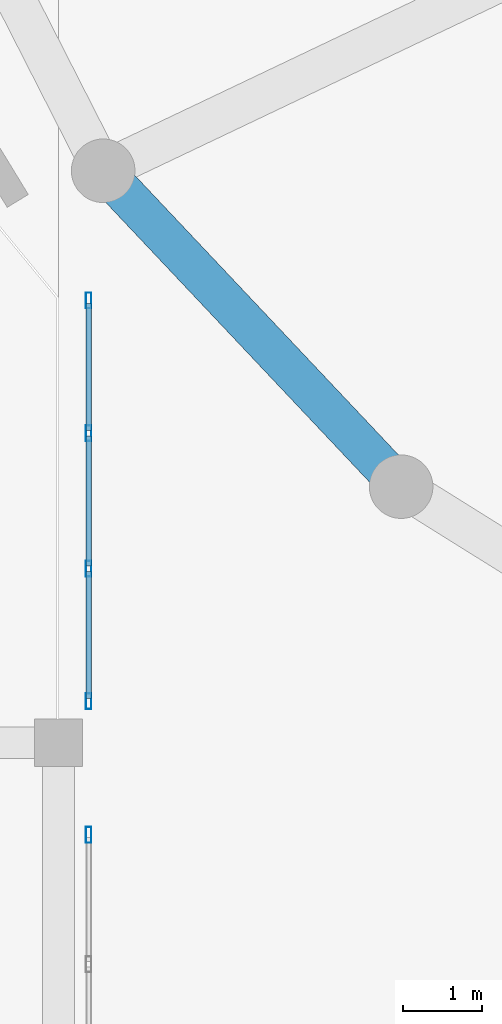
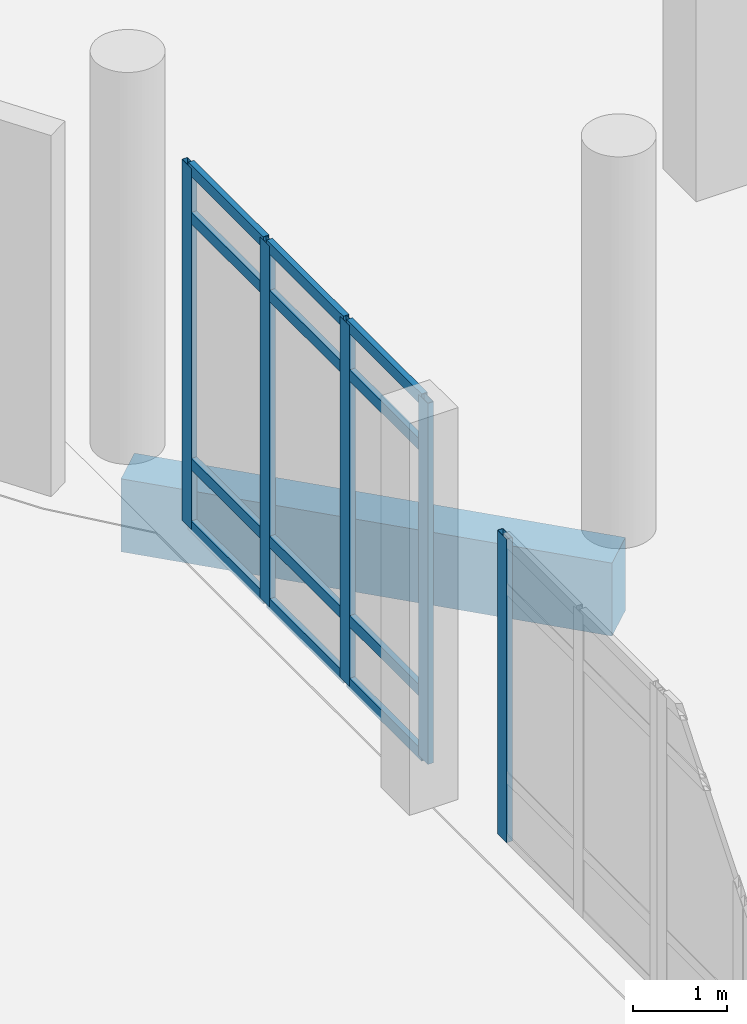
# One storey, part 5 of 64: 17 members, 1 beam, 2 elements without a shape of their own.
"""IFC4 building model written with IfcOpenShell, lengths in metres."""

from ifc_helpers import new_model, si_unit, derived_unit, direction, frame, origin, origin_2d, place, context, subcontext, project, spatial, rectangle, hollow_rectangle, extrude, material, layer, layer_set, material_profile, profile_set, type_object, element, aggregate, save


model = new_model("IFC4")

# Units and contexts
model_context = context("Model", 3, precision=1e-05, world=origin(), true_north=direction((0.0, 1.0)))
body_context = subcontext(model_context, "Body", "Model", "MODEL_VIEW")
ifc_project = project(units=[si_unit("LENGTHUNIT", "METRE"), si_unit("AREAUNIT", "SQUARE_METRE"), si_unit("VOLUMEUNIT", "CUBIC_METRE"), si_unit("PLANEANGLEUNIT", "RADIAN"), si_unit("MASSUNIT", "GRAM", prefix="KILO"), derived_unit("THERMALTRANSMITTANCEUNIT", [(si_unit("POWERUNIT", "WATT"), 1), (si_unit("LENGTHUNIT", "METRE"), -2), (si_unit("THERMODYNAMICTEMPERATUREUNIT", "KELVIN"), -1)])], contexts=[model_context])

# Site, building, storey
site_placement = place(None, origin())
site = spatial("IfcSite", under=ifc_project, at=site_placement, CompositionType="ELEMENT")
building_placement = place(site_placement, origin())
building = spatial("IfcBuilding", under=site, at=building_placement, Name="Elbkamm Science Centre", CompositionType="ELEMENT")
storey_placement = place(building_placement, origin())
storey = spatial("IfcBuildingStorey", under=building, at=storey_placement, Name="L00", CompositionType="ELEMENT", Elevation=0.0)

# Beam
ifc_material_1 = material(Name="Concrete C40/50", Category="concrete")
ifc_material_profile_1 = material_profile(ifc_material_1, rectangle(XDim=0.5, YDim=0.949951171875, at=origin_2d()), Name="RC 500x950")
ifc_profile_set_1 = profile_set([ifc_material_profile_1], Name="Concrete C40/50")
beam_type = type_object("IfcBeamType", Name="BM-RC-500x950", PredefinedType="BEAM", material=ifc_profile_set_1)
beam_placement = place(storey_placement, frame((42.56201171875, 57.60009765625, -0.77490234375), z_axis=(0.686122314522, -0.727486198848, 0.0), x_axis=(0.727486198848, 0.686122314522, 0.0)))
element("IfcBeam", 1, at=beam_placement, inside=storey, type_object=beam_type, Name="L00 Elliptical Shell Perimeter Ring Beam 15", PredefinedType="SPANDREL", context=body_context, shape_type="SweptSolid", body=[
    extrude(rectangle(XDim=0.5, YDim=0.949951171875, at=origin_2d()), origin(), (0.0, 0.0, 1.0), 5.465576171875),
])

# Curtain wall, member
ifc_material_2 = material(Name="Powder-coated aluminium and triple low-E glazing", Category="aluminium")
ifc_layer_1 = layer(ifc_material_2, 0.159912109375)
ifc_layer_set_1 = layer_set([ifc_layer_1], Name="Powder-coated aluminium and triple low-E glazing")
curtain_wall_type_1 = type_object("IfcCurtainWallType", Name="CW-UNIT-3320x3960", PredefinedType="USERDEFINED", material=ifc_layer_set_1)
curtain_wall_1_placement = place(storey_placement, origin())
curtain_wall_1 = element("IfcCurtainWall", 2, at=curtain_wall_1_placement, inside=storey, type_object=curtain_wall_type_1, Name="L00 Unitised Curtain Wall 145", ObjectType="UNITISED CURTAIN WALL", PredefinedType="USERDEFINED")
ifc_material_3 = material(Name="Powder-coated aluminium EN AW-6060", Category="aluminium")
ifc_material_profile_2 = material_profile(ifc_material_3, hollow_rectangle(XDim=0.070068359375, YDim=0.199951171875, WallThickness=0.00439453125, at=origin_2d()), Name="ALU M70x200")
ifc_profile_set_2 = profile_set([ifc_material_profile_2], Name="Powder-coated aluminium EN AW-6060")
member_type_1 = type_object("IfcMemberType", Name="CW-MUL-70x200", PredefinedType="MULLION", material=ifc_profile_set_2)
member_1_placement = place(storey_placement, frame((42.3798828125, 49.240966796875, 0.0), z_axis=(0.0, 0.0, 1.0), x_axis=(-1.0, 0.0, 0.0)))
member_1 = element("IfcMember", 3, at=member_1_placement, type_object=member_type_1, Name="CW-067 mullion 3", PredefinedType="MULLION", context=body_context, shape_type="SweptSolid", body=[
    extrude(hollow_rectangle(XDim=0.070068359375, YDim=0.199951171875, WallThickness=0.00439453125, at=origin_2d()), origin(), (0.0, 0.0, 1.0), 3.949951171875),
])
aggregate(curtain_wall_1, [member_1])

# Curtain wall, members
ifc_layer_2 = layer(ifc_material_2, 0.159912109375)
ifc_layer_set_2 = layer_set([ifc_layer_2], Name="Powder-coated aluminium and triple low-E glazing")
curtain_wall_type_2 = type_object("IfcCurtainWallType", Name="CW-UNIT-5120x4700", PredefinedType="USERDEFINED", material=ifc_layer_set_2)
curtain_wall_2_placement = place(storey_placement, origin())
curtain_wall_2 = element("IfcCurtainWall", 4, at=curtain_wall_2_placement, inside=storey, type_object=curtain_wall_type_2, Name="L00 Unitised Curtain Wall 146", ObjectType="UNITISED CURTAIN WALL", PredefinedType="USERDEFINED")
member_2_placement = place(storey_placement, frame((42.3798828125, 50.92138671875, 0.0), z_axis=(0.0, 0.0, 1.0), x_axis=(-1.0, 0.0, 0.0)))
member_2 = element("IfcMember", 5, at=member_2_placement, type_object=member_type_1, Name="CW-068 mullion 1", PredefinedType="MULLION", context=body_context, shape_type="SweptSolid", body=[
    extrude(hollow_rectangle(XDim=0.070068359375, YDim=0.199951171875, WallThickness=0.00439453125, at=origin_2d()), origin(), (0.0, 0.0, 1.0), 4.699951171875),
])
member_3_placement = place(storey_placement, frame((42.3798828125, 52.591552734375, 0.0), z_axis=(0.0, 0.0, 1.0), x_axis=(-1.0, 0.0, 0.0)))
member_3 = element("IfcMember", 6, at=member_3_placement, type_object=member_type_1, Name="CW-068 mullion 2", PredefinedType="MULLION", context=body_context, shape_type="SweptSolid", body=[
    extrude(hollow_rectangle(XDim=0.070068359375, YDim=0.199951171875, WallThickness=0.00439453125, at=origin_2d()), origin(), (0.0, 0.0, 1.0), 4.699951171875),
])
member_4_placement = place(storey_placement, frame((42.3798828125, 54.296630859375, 0.0), z_axis=(0.0, 0.0, 1.0), x_axis=(-1.0, 0.0, 0.0)))
member_4 = element("IfcMember", 7, at=member_4_placement, type_object=member_type_1, Name="CW-068 mullion 3", PredefinedType="MULLION", context=body_context, shape_type="SweptSolid", body=[
    extrude(hollow_rectangle(XDim=0.070068359375, YDim=0.199951171875, WallThickness=0.00439453125, at=origin_2d()), origin(), (0.0, 0.0, 1.0), 4.699951171875),
])
member_5_placement = place(storey_placement, frame((42.3798828125, 55.966796875, 0.0), z_axis=(0.0, 0.0, 1.0), x_axis=(-1.0, 0.0, 0.0)))
member_5 = element("IfcMember", 8, at=member_5_placement, type_object=member_type_1, Name="CW-068 mullion 4", PredefinedType="MULLION", context=body_context, shape_type="SweptSolid", body=[
    extrude(hollow_rectangle(XDim=0.070068359375, YDim=0.199951171875, WallThickness=0.00439453125, at=origin_2d()), origin(), (0.0, 0.0, 1.0), 4.699951171875),
])
ifc_material_profile_3 = material_profile(ifc_material_3, hollow_rectangle(XDim=0.070068359375, YDim=0.14990234375, WallThickness=0.00390625, at=origin_2d()), Name="ALU T70x150")
ifc_profile_set_3 = profile_set([ifc_material_profile_3], Name="Powder-coated aluminium EN AW-6060")
member_type_2 = type_object("IfcMemberType", Name="CW-TRN-70x150", PredefinedType="USERDEFINED", material=ifc_profile_set_3)
member_6_placement = place(storey_placement, frame((42.3798828125, 50.956298828125, 0.034912109375), z_axis=(0.0, 1.0, 0.0), x_axis=(-1.0, 0.0, 0.0)))
member_6 = element("IfcMember", 9, at=member_6_placement, type_object=member_type_2, Name="CW-068 transom 1.1", ObjectType="TRANSOM", PredefinedType="USERDEFINED", context=body_context, shape_type="SweptSolid", body=[
    extrude(hollow_rectangle(XDim=0.070068359375, YDim=0.14990234375, WallThickness=0.00390625, at=origin_2d()), origin(), (0.0, 0.0, 1.0), 1.60009765625),
])
member_7_placement = place(storey_placement, frame((42.3798828125, 50.956298828125, 0.85009765625), z_axis=(0.0, 1.0, 0.0), x_axis=(-1.0, 0.0, 0.0)))
member_7 = element("IfcMember", 10, at=member_7_placement, type_object=member_type_2, Name="CW-068 transom 1.2", ObjectType="TRANSOM", PredefinedType="USERDEFINED", context=body_context, shape_type="SweptSolid", body=[
    extrude(hollow_rectangle(XDim=0.070068359375, YDim=0.14990234375, WallThickness=0.00390625, at=origin_2d()), origin(), (0.0, 0.0, 1.0), 1.60009765625),
])
member_8_placement = place(storey_placement, frame((42.3798828125, 50.956298828125, 4.050048828125), z_axis=(0.0, 1.0, 0.0), x_axis=(-1.0, 0.0, 0.0)))
member_8 = element("IfcMember", 11, at=member_8_placement, type_object=member_type_2, Name="CW-068 transom 1.3", ObjectType="TRANSOM", PredefinedType="USERDEFINED", context=body_context, shape_type="SweptSolid", body=[
    extrude(hollow_rectangle(XDim=0.070068359375, YDim=0.14990234375, WallThickness=0.00390625, at=origin_2d()), origin(), (0.0, 0.0, 1.0), 1.60009765625),
])
member_9_placement = place(storey_placement, frame((42.3798828125, 50.956298828125, 4.6650390625), z_axis=(0.0, 1.0, 0.0), x_axis=(-1.0, 0.0, 0.0)))
member_9 = element("IfcMember", 12, at=member_9_placement, type_object=member_type_2, Name="CW-068 transom 1.4", ObjectType="TRANSOM", PredefinedType="USERDEFINED", context=body_context, shape_type="SweptSolid", body=[
    extrude(hollow_rectangle(XDim=0.070068359375, YDim=0.14990234375, WallThickness=0.00390625, at=origin_2d()), origin(), (0.0, 0.0, 1.0), 1.60009765625),
])
member_10_placement = place(storey_placement, frame((42.3798828125, 52.62646484375, 0.034912109375), z_axis=(0.0, 1.0, 0.0), x_axis=(-1.0, 0.0, 0.0)))
member_10 = element("IfcMember", 13, at=member_10_placement, type_object=member_type_2, Name="CW-068 transom 2.1", ObjectType="TRANSOM", PredefinedType="USERDEFINED", context=body_context, shape_type="SweptSolid", body=[
    extrude(hollow_rectangle(XDim=0.070068359375, YDim=0.14990234375, WallThickness=0.00390625, at=origin_2d()), origin(), (0.0, 0.0, 1.0), 1.63525390625),
])
member_11_placement = place(storey_placement, frame((42.3798828125, 52.62646484375, 0.85009765625), z_axis=(0.0, 1.0, 0.0), x_axis=(-1.0, 0.0, 0.0)))
member_11 = element("IfcMember", 14, at=member_11_placement, type_object=member_type_2, Name="CW-068 transom 2.2", ObjectType="TRANSOM", PredefinedType="USERDEFINED", context=body_context, shape_type="SweptSolid", body=[
    extrude(hollow_rectangle(XDim=0.070068359375, YDim=0.14990234375, WallThickness=0.00390625, at=origin_2d()), origin(), (0.0, 0.0, 1.0), 1.63525390625),
])
member_12_placement = place(storey_placement, frame((42.3798828125, 52.62646484375, 4.050048828125), z_axis=(0.0, 1.0, 0.0), x_axis=(-1.0, 0.0, 0.0)))
member_12 = element("IfcMember", 15, at=member_12_placement, type_object=member_type_2, Name="CW-068 transom 2.3", ObjectType="TRANSOM", PredefinedType="USERDEFINED", context=body_context, shape_type="SweptSolid", body=[
    extrude(hollow_rectangle(XDim=0.070068359375, YDim=0.14990234375, WallThickness=0.00390625, at=origin_2d()), origin(), (0.0, 0.0, 1.0), 1.63525390625),
])
member_13_placement = place(storey_placement, frame((42.3798828125, 52.62646484375, 4.6650390625), z_axis=(0.0, 1.0, 0.0), x_axis=(-1.0, 0.0, 0.0)))
member_13 = element("IfcMember", 16, at=member_13_placement, type_object=member_type_2, Name="CW-068 transom 2.4", ObjectType="TRANSOM", PredefinedType="USERDEFINED", context=body_context, shape_type="SweptSolid", body=[
    extrude(hollow_rectangle(XDim=0.070068359375, YDim=0.14990234375, WallThickness=0.00390625, at=origin_2d()), origin(), (0.0, 0.0, 1.0), 1.63525390625),
])
member_14_placement = place(storey_placement, frame((42.3798828125, 54.331787109375, 0.034912109375), z_axis=(0.0, 1.0, 0.0), x_axis=(-1.0, 0.0, 0.0)))
member_14 = element("IfcMember", 17, at=member_14_placement, type_object=member_type_2, Name="CW-068 transom 3.1", ObjectType="TRANSOM", PredefinedType="USERDEFINED", context=body_context, shape_type="SweptSolid", body=[
    extrude(hollow_rectangle(XDim=0.070068359375, YDim=0.14990234375, WallThickness=0.00390625, at=origin_2d()), origin(), (0.0, 0.0, 1.0), 1.60009765625),
])
member_15_placement = place(storey_placement, frame((42.3798828125, 54.331787109375, 0.85009765625), z_axis=(0.0, 1.0, 0.0), x_axis=(-1.0, 0.0, 0.0)))
member_15 = element("IfcMember", 18, at=member_15_placement, type_object=member_type_2, Name="CW-068 transom 3.2", ObjectType="TRANSOM", PredefinedType="USERDEFINED", context=body_context, shape_type="SweptSolid", body=[
    extrude(hollow_rectangle(XDim=0.070068359375, YDim=0.14990234375, WallThickness=0.00390625, at=origin_2d()), origin(), (0.0, 0.0, 1.0), 1.60009765625),
])
member_16_placement = place(storey_placement, frame((42.3798828125, 54.331787109375, 4.050048828125), z_axis=(0.0, 1.0, 0.0), x_axis=(-1.0, 0.0, 0.0)))
member_16 = element("IfcMember", 19, at=member_16_placement, type_object=member_type_2, Name="CW-068 transom 3.3", ObjectType="TRANSOM", PredefinedType="USERDEFINED", context=body_context, shape_type="SweptSolid", body=[
    extrude(hollow_rectangle(XDim=0.070068359375, YDim=0.14990234375, WallThickness=0.00390625, at=origin_2d()), origin(), (0.0, 0.0, 1.0), 1.60009765625),
])
member_17_placement = place(storey_placement, frame((42.3798828125, 54.331787109375, 4.6650390625), z_axis=(0.0, 1.0, 0.0), x_axis=(-1.0, 0.0, 0.0)))
member_17 = element("IfcMember", 20, at=member_17_placement, type_object=member_type_2, Name="CW-068 transom 3.4", ObjectType="TRANSOM", PredefinedType="USERDEFINED", context=body_context, shape_type="SweptSolid", body=[
    extrude(hollow_rectangle(XDim=0.070068359375, YDim=0.14990234375, WallThickness=0.00390625, at=origin_2d()), origin(), (0.0, 0.0, 1.0), 1.60009765625),
])
aggregate(curtain_wall_2, [member_2, member_3, member_4, member_5, member_6, member_7, member_8, member_9, member_10, member_11, member_12, member_13, member_14, member_15, member_16, member_17])

save(model, "model.ifc")
